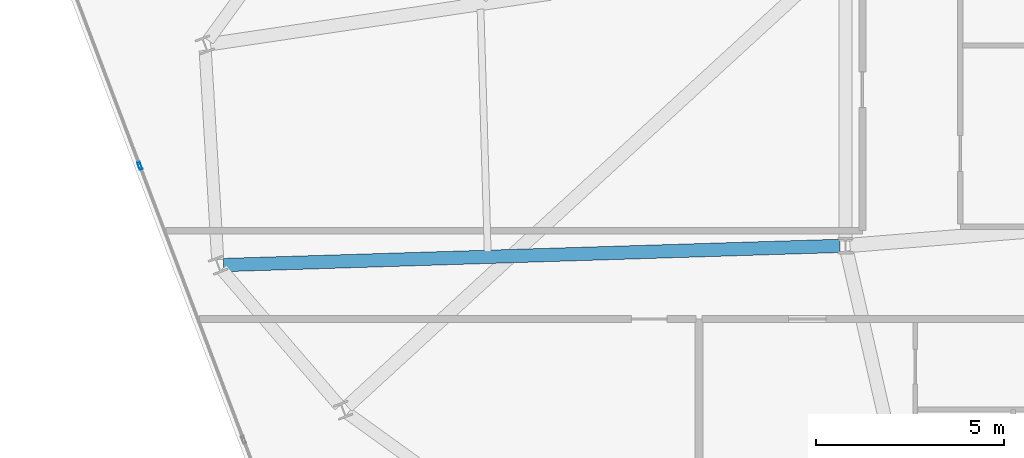
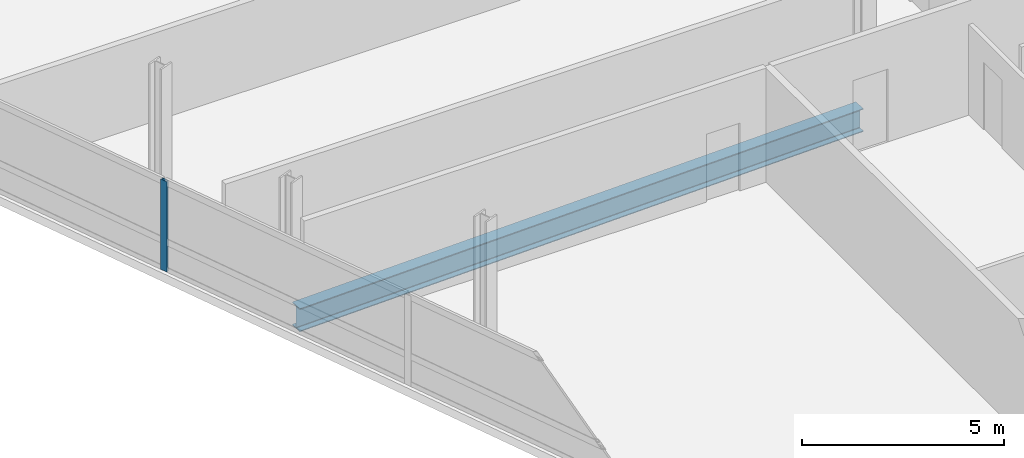
# One storey, part 8 of 24: 1 beam, 1 member, 1 element without a shape of its own.
"""IFC4 building model written with IfcOpenShell, lengths in metres."""

from ifc_helpers import new_model, si_unit, direction, frame, origin, origin_2d, place, context, subcontext, project, spatial, hollow_rectangle, i_section, extrude, material, layer, layer_set, material_profile, profile_set, type_object, element, aggregate, save


model = new_model("IFC4")

# Units and contexts
model_context = context("Model", 3, precision=1e-05, world=origin(), true_north=direction((0.0, 1.0)))
body_context = subcontext(model_context, "Body", "Model", "MODEL_VIEW")
ifc_project = project(units=[si_unit("LENGTHUNIT", "METRE"), si_unit("AREAUNIT", "SQUARE_METRE"), si_unit("VOLUMEUNIT", "CUBIC_METRE"), si_unit("PLANEANGLEUNIT", "RADIAN"), si_unit("MASSUNIT", "GRAM", prefix="KILO")], contexts=[model_context])

# Site, building, storey
site_placement = place(None, origin())
site = spatial("IfcSite", under=ifc_project, at=site_placement, CompositionType="ELEMENT")
building_placement = place(site_placement, origin())
building = spatial("IfcBuilding", under=site, at=building_placement, Name="Varnelok Gate Tower", CompositionType="ELEMENT")
storey_placement = place(building_placement, frame((0.0, 0.0, 212.699951171875)))
storey = spatial("IfcBuildingStorey", under=building, at=storey_placement, Name="L54", CompositionType="ELEMENT", Elevation=212.699951171875)

# Beam
ifc_material_1 = material(Name="Structural Steel ASTM A992 Grade 50", Category="steel")
ifc_material_profile_1 = material_profile(ifc_material_1, i_section(OverallWidth=0.35498046875, OverallDepth=0.696044921875, WebThickness=0.015380859375, FlangeThickness=0.02490234375, FilletRadius=0.02001953125, at=origin_2d()), Name="W27X146")
ifc_profile_set_1 = profile_set([ifc_material_profile_1], Name="Structural Steel ASTM A992 Grade 50")
beam_type = type_object("IfcBeamType", Name="BM-PRI-W27X146", PredefinedType="BEAM", material=ifc_profile_set_1)
beam_placement = place(storey_placement, frame((24.25, 18.79541015625, -0.597900390625), z_axis=(-0.999516665435, -0.031087546033, 0.0), x_axis=(0.031087546033, -0.999516665435, 0.0)))
element("IfcBeam", 1, at=beam_placement, inside=storey, type_object=beam_type, Name="L54 Radial Floor Girder 15", PredefinedType="BEAM", context=body_context, shape_type="SweptSolid", body=[
    extrude(i_section(OverallWidth=0.35498046875, OverallDepth=0.696044921875, WebThickness=0.015380859375, FlangeThickness=0.02490234375, FilletRadius=0.02001953125, at=origin_2d()), origin(), (0.0, 0.0, 1.0), 16.413330078125),
])

# Curtain wall, member
ifc_material_2 = material(Name="Anodized Aluminum Alloy 6063-T6", Category="aluminium")
ifc_layer = layer(ifc_material_2, 0.179931640625)
ifc_layer_set = layer_set([ifc_layer], Name="Anodized Aluminum Alloy 6063-T6")
curtain_wall_type = type_object("IfcCurtainWallType", Name="CW4-RESIDENCE-VISION", PredefinedType="USERDEFINED", material=ifc_layer_set)
curtain_wall_placement = place(storey_placement, origin())
curtain_wall = element("IfcCurtainWall", 2, at=curtain_wall_placement, inside=storey, type_object=curtain_wall_type, Name="L54 West End Vision Curtain Wall", ObjectType="UNITISED CURTAIN WALL", PredefinedType="USERDEFINED")
ifc_material_profile_2 = material_profile(ifc_material_2, hollow_rectangle(XDim=0.074951171875, YDim=0.199951171875, WallThickness=0.00390625, at=origin_2d()), Name="ALU200X75X4")
ifc_profile_set_2 = profile_set([ifc_material_profile_2], Name="Anodized Aluminum Alloy 6063-T6")
member_type = type_object("IfcMemberType", Name="CW-MULL-200", PredefinedType="MULLION", material=ifc_profile_set_2)
member_placement = place(storey_placement, frame((5.61328125, 20.9248046875, 0.0), z_axis=(0.0, 0.0, 1.0), x_axis=(-0.935221557832, -0.354063042079, 0.0)))
member = element("IfcMember", 3, at=member_placement, type_object=member_type, Name="CW4 mullion 4", PredefinedType="MULLION", context=body_context, shape_type="SweptSolid", body=[
    extrude(hollow_rectangle(XDim=0.074951171875, YDim=0.199951171875, WallThickness=0.00390625, at=origin_2d()), origin(), (0.0, 0.0, 1.0), 2.72998046875),
])
aggregate(curtain_wall, [member])

save(model, "model.ifc")
